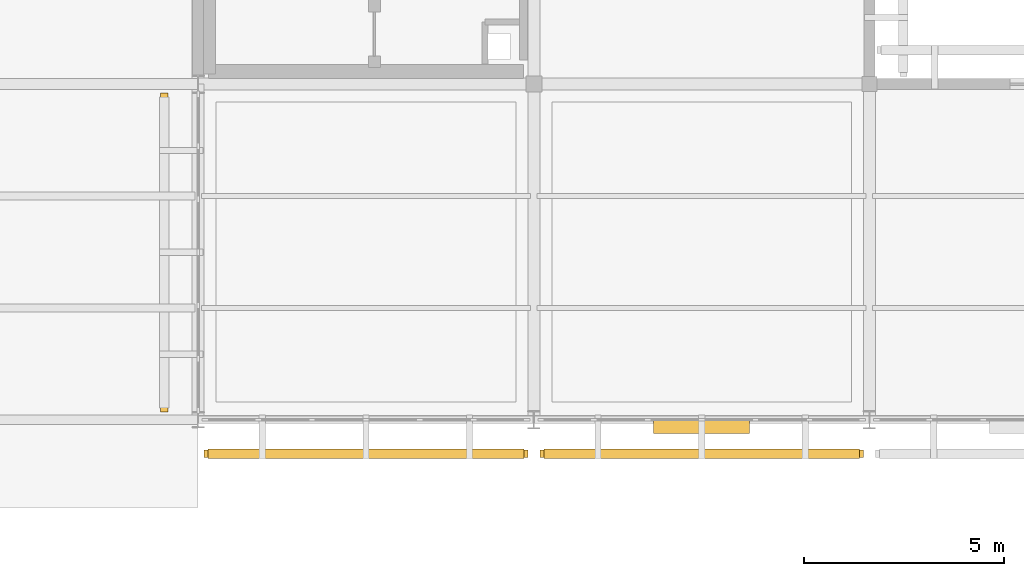
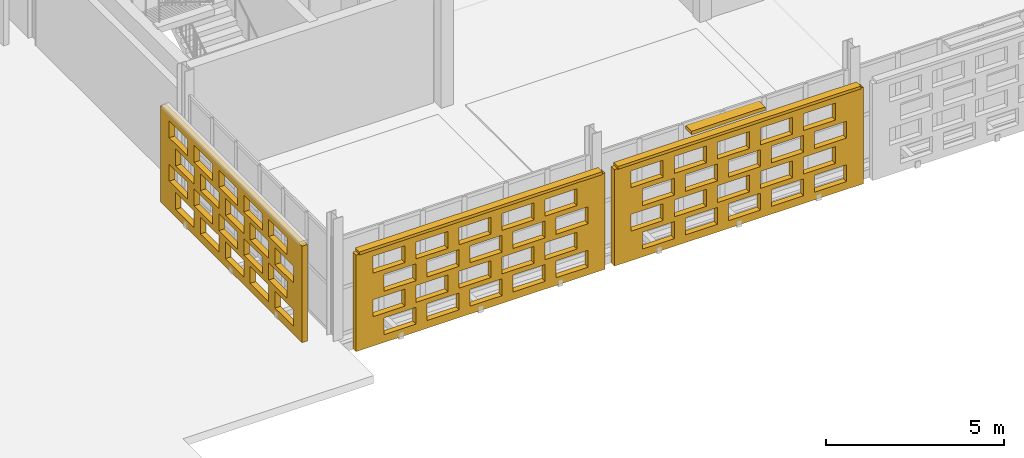
# One storey, part 131 of 166: 3 coverings, 3 shading devices, 60 openings.
"""IFC4 building model written with IfcOpenShell, lengths in metres."""

from ifc_helpers import new_model, si_unit, direction, frame, frame_2d, origin, origin_2d, place, context, subcontext, project, spatial, rectangle, extrude, material, layer, layer_set, type_object, element, save


model = new_model("IFC4")

# Units and contexts
model_context = context("Model", 3, precision=1e-05, world=origin(), true_north=direction((0.0, 1.0)))
body_context = subcontext(model_context, "Body", "Model", "MODEL_VIEW")
ifc_project = project(units=[si_unit("LENGTHUNIT", "METRE"), si_unit("AREAUNIT", "SQUARE_METRE"), si_unit("VOLUMEUNIT", "CUBIC_METRE"), si_unit("PLANEANGLEUNIT", "RADIAN"), si_unit("MASSUNIT", "GRAM", prefix="KILO")], contexts=[model_context])

# Site, building, storey
site_placement = place(None, origin())
site = spatial("IfcSite", under=ifc_project, at=site_placement, CompositionType="ELEMENT")
building_placement = place(site_placement, origin())
building = spatial("IfcBuilding", under=site, at=building_placement, Name="Varnapada Polytechnic", CompositionType="ELEMENT")
storey_placement = place(building_placement, frame((0.0, 0.0, 9.60009765625)))
storey = spatial("IfcBuildingStorey", under=building, at=storey_placement, Name="L02", CompositionType="ELEMENT", Elevation=9.60009765625)

# Shading device
ifc_material_1 = material(Name="Anodised aluminium", Category="aluminium")
ifc_layer_1 = layer(ifc_material_1, 0.35009765625)
ifc_layer_set_1 = layer_set([ifc_layer_1], Name="Anodised aluminium")
shading_device_type_1 = type_object("IfcShadingDeviceType", Name="Solar Louvre LVR-01", PredefinedType="JALOUSIE", material=ifc_layer_set_1)
shading_device_placement = place(storey_placement, frame((63.0, 83.820068359375, 3.159912109375), z_axis=(0.0, 0.0, 1.0), x_axis=(-1.0, 0.0, 0.0)))
element("IfcShadingDevice", 1, at=shading_device_placement, inside=storey, type_object=shading_device_type_1, Name="L02 aluminium sun louvre 52", PredefinedType="JALOUSIE", context=body_context, shape_type="SweptSolid", body=[
    extrude(rectangle(XDim=2.39990234375, YDim=0.340087890625, at=origin_2d()), origin(), (0.0, 0.0, 1.0), 0.1201171875),
])

# Covering, openings
ifc_material_2 = material(Name="Earth-toned architectural terracotta screen block", Category="masonry")
ifc_layer_2 = layer(ifc_material_2, 0.1201171875)
ifc_layer_set_2 = layer_set([ifc_layer_2], Name="Earth-toned architectural terracotta screen block")
covering_type = type_object("IfcCoveringType", Name="Terracotta Screen Cladding CLD-01", PredefinedType="CLADDING", material=ifc_layer_set_2)
covering_1_placement = place(storey_placement, frame((58.64990234375, 83.14990234375, 0.0), z_axis=(0.0, 0.0, 1.0), x_axis=(-1.0, 0.0, 0.0)))
covering_1 = element("IfcCovering", 2, at=covering_1_placement, inside=storey, type_object=covering_type, Name="L02 perforated terracotta block screen (45)", PredefinedType="CLADDING", context=body_context, shape_type="SweptSolid", body=[
    extrude(rectangle(XDim=8.099853515625, YDim=0.179931640625, at=frame_2d((4.0498046875, 0.0))), origin(), (0.0, 0.0, 1.0), 3.31982421875),
])
opening_1_placement = place(covering_1_placement, frame((0.550048828125, 0.0, 0.265625)))
element("IfcOpeningElement", 3, at=opening_1_placement, cuts=covering_1, Name="Screen perforation TBS-L02-044.1", PredefinedType="OPENING", context=body_context, shape_type="SweptSolid", body=[
    extrude(rectangle(XDim=1.0400390625, YDim=0.5810546875, at=frame_2d((0.52001953125, 0.29052734375))), frame((0.0, 0.099853515625, 0.0), z_axis=(0.0, -1.0, 0.0), x_axis=(1.0, 0.0, 0.0)), (0.0, 0.0, 1.0), 0.199951171875),
])
opening_2_placement = place(covering_1_placement, frame((1.949951171875, 0.0, 0.265625)))
element("IfcOpeningElement", 4, at=opening_2_placement, cuts=covering_1, Name="Screen perforation TBS-L02-044.2", PredefinedType="OPENING", context=body_context, shape_type="SweptSolid", body=[
    extrude(rectangle(XDim=1.0400390625, YDim=0.5810546875, at=frame_2d((0.52001953125, 0.29052734375))), frame((0.0, 0.099853515625, 0.0), z_axis=(0.0, -1.0, 0.0), x_axis=(1.0, 0.0, 0.0)), (0.0, 0.0, 1.0), 0.199951171875),
])
opening_3_placement = place(covering_1_placement, frame((3.35009765625, 0.0, 0.265625)))
element("IfcOpeningElement", 5, at=opening_3_placement, cuts=covering_1, Name="Screen perforation TBS-L02-044.3", PredefinedType="OPENING", context=body_context, shape_type="SweptSolid", body=[
    extrude(rectangle(XDim=1.0400390625, YDim=0.5810546875, at=frame_2d((0.52001953125, 0.29052734375))), frame((0.0, 0.099853515625, 0.0), z_axis=(0.0, -1.0, 0.0), x_axis=(1.0, 0.0, 0.0)), (0.0, 0.0, 1.0), 0.199951171875),
])
opening_4_placement = place(covering_1_placement, frame((4.75, 0.0, 0.265625)))
element("IfcOpeningElement", 6, at=opening_4_placement, cuts=covering_1, Name="Screen perforation TBS-L02-044.4", PredefinedType="OPENING", context=body_context, shape_type="SweptSolid", body=[
    extrude(rectangle(XDim=1.0400390625, YDim=0.5810546875, at=frame_2d((0.52001953125, 0.29052734375))), frame((0.0, 0.099853515625, 0.0), z_axis=(0.0, -1.0, 0.0), x_axis=(1.0, 0.0, 0.0)), (0.0, 0.0, 1.0), 0.199951171875),
])
opening_5_placement = place(covering_1_placement, frame((6.14990234375, 0.0, 0.265625)))
element("IfcOpeningElement", 7, at=opening_5_placement, cuts=covering_1, Name="Screen perforation TBS-L02-044.5", PredefinedType="OPENING", context=body_context, shape_type="SweptSolid", body=[
    extrude(rectangle(XDim=1.0400390625, YDim=0.5810546875, at=frame_2d((0.52001953125, 0.29052734375))), frame((0.0, 0.099853515625, 0.0), z_axis=(0.0, -1.0, 0.0), x_axis=(1.0, 0.0, 0.0)), (0.0, 0.0, 1.0), 0.199951171875),
])
opening_6_placement = place(covering_1_placement, frame((0.909912109375, 0.0, 1.0126953125)))
element("IfcOpeningElement", 8, at=opening_6_placement, cuts=covering_1, Name="Screen perforation TBS-L02-044.6", PredefinedType="OPENING", context=body_context, shape_type="SweptSolid", body=[
    extrude(rectangle(XDim=1.0400390625, YDim=0.5810546875, at=frame_2d((0.52001953125, 0.29052734375))), frame((0.0, 0.099853515625, 0.0), z_axis=(0.0, -1.0, 0.0), x_axis=(1.0, 0.0, 0.0)), (0.0, 0.0, 1.0), 0.199951171875),
])
opening_7_placement = place(covering_1_placement, frame((2.31005859375, 0.0, 1.0126953125)))
element("IfcOpeningElement", 9, at=opening_7_placement, cuts=covering_1, Name="Screen perforation TBS-L02-044.7", PredefinedType="OPENING", context=body_context, shape_type="SweptSolid", body=[
    extrude(rectangle(XDim=1.0400390625, YDim=0.5810546875, at=frame_2d((0.52001953125, 0.29052734375))), frame((0.0, 0.099853515625, 0.0), z_axis=(0.0, -1.0, 0.0), x_axis=(1.0, 0.0, 0.0)), (0.0, 0.0, 1.0), 0.199951171875),
])
opening_8_placement = place(covering_1_placement, frame((3.7099609375, 0.0, 1.0126953125)))
element("IfcOpeningElement", 10, at=opening_8_placement, cuts=covering_1, Name="Screen perforation TBS-L02-044.8", PredefinedType="OPENING", context=body_context, shape_type="SweptSolid", body=[
    extrude(rectangle(XDim=1.0400390625, YDim=0.5810546875, at=frame_2d((0.52001953125, 0.29052734375))), frame((0.0, 0.099853515625, 0.0), z_axis=(0.0, -1.0, 0.0), x_axis=(1.0, 0.0, 0.0)), (0.0, 0.0, 1.0), 0.199951171875),
])
opening_9_placement = place(covering_1_placement, frame((5.110107421875, 0.0, 1.0126953125)))
element("IfcOpeningElement", 11, at=opening_9_placement, cuts=covering_1, Name="Screen perforation TBS-L02-044.9", PredefinedType="OPENING", context=body_context, shape_type="SweptSolid", body=[
    extrude(rectangle(XDim=1.0400390625, YDim=0.5810546875, at=frame_2d((0.52001953125, 0.29052734375))), frame((0.0, 0.099853515625, 0.0), z_axis=(0.0, -1.0, 0.0), x_axis=(1.0, 0.0, 0.0)), (0.0, 0.0, 1.0), 0.199951171875),
])
opening_10_placement = place(covering_1_placement, frame((6.510009765625, 0.0, 1.0126953125)))
element("IfcOpeningElement", 12, at=opening_10_placement, cuts=covering_1, Name="Screen perforation TBS-L02-044.10", PredefinedType="OPENING", context=body_context, shape_type="SweptSolid", body=[
    extrude(rectangle(XDim=1.0400390625, YDim=0.5810546875, at=frame_2d((0.52001953125, 0.29052734375))), frame((0.0, 0.099853515625, 0.0), z_axis=(0.0, -1.0, 0.0), x_axis=(1.0, 0.0, 0.0)), (0.0, 0.0, 1.0), 0.199951171875),
])
opening_11_placement = place(covering_1_placement, frame((0.550048828125, 0.0, 1.759521484375)))
element("IfcOpeningElement", 13, at=opening_11_placement, cuts=covering_1, Name="Screen perforation TBS-L02-044.11", PredefinedType="OPENING", context=body_context, shape_type="SweptSolid", body=[
    extrude(rectangle(XDim=1.0400390625, YDim=0.5810546875, at=frame_2d((0.52001953125, 0.29052734375))), frame((0.0, 0.099853515625, 0.0), z_axis=(0.0, -1.0, 0.0), x_axis=(1.0, 0.0, 0.0)), (0.0, 0.0, 1.0), 0.199951171875),
])
opening_12_placement = place(covering_1_placement, frame((1.949951171875, 0.0, 1.759521484375)))
element("IfcOpeningElement", 14, at=opening_12_placement, cuts=covering_1, Name="Screen perforation TBS-L02-044.12", PredefinedType="OPENING", context=body_context, shape_type="SweptSolid", body=[
    extrude(rectangle(XDim=1.0400390625, YDim=0.5810546875, at=frame_2d((0.52001953125, 0.29052734375))), frame((0.0, 0.099853515625, 0.0), z_axis=(0.0, -1.0, 0.0), x_axis=(1.0, 0.0, 0.0)), (0.0, 0.0, 1.0), 0.199951171875),
])
opening_13_placement = place(covering_1_placement, frame((3.35009765625, 0.0, 1.759521484375)))
element("IfcOpeningElement", 15, at=opening_13_placement, cuts=covering_1, Name="Screen perforation TBS-L02-044.13", PredefinedType="OPENING", context=body_context, shape_type="SweptSolid", body=[
    extrude(rectangle(XDim=1.0400390625, YDim=0.5810546875, at=frame_2d((0.52001953125, 0.29052734375))), frame((0.0, 0.099853515625, 0.0), z_axis=(0.0, -1.0, 0.0), x_axis=(1.0, 0.0, 0.0)), (0.0, 0.0, 1.0), 0.199951171875),
])
opening_14_placement = place(covering_1_placement, frame((4.75, 0.0, 1.759521484375)))
element("IfcOpeningElement", 16, at=opening_14_placement, cuts=covering_1, Name="Screen perforation TBS-L02-044.14", PredefinedType="OPENING", context=body_context, shape_type="SweptSolid", body=[
    extrude(rectangle(XDim=1.0400390625, YDim=0.5810546875, at=frame_2d((0.52001953125, 0.29052734375))), frame((0.0, 0.099853515625, 0.0), z_axis=(0.0, -1.0, 0.0), x_axis=(1.0, 0.0, 0.0)), (0.0, 0.0, 1.0), 0.199951171875),
])
opening_15_placement = place(covering_1_placement, frame((6.14990234375, 0.0, 1.759521484375)))
element("IfcOpeningElement", 17, at=opening_15_placement, cuts=covering_1, Name="Screen perforation TBS-L02-044.15", PredefinedType="OPENING", context=body_context, shape_type="SweptSolid", body=[
    extrude(rectangle(XDim=1.0400390625, YDim=0.5810546875, at=frame_2d((0.52001953125, 0.29052734375))), frame((0.0, 0.099853515625, 0.0), z_axis=(0.0, -1.0, 0.0), x_axis=(1.0, 0.0, 0.0)), (0.0, 0.0, 1.0), 0.199951171875),
])
opening_16_placement = place(covering_1_placement, frame((0.909912109375, 0.0, 2.506591796875)))
element("IfcOpeningElement", 18, at=opening_16_placement, cuts=covering_1, Name="Screen perforation TBS-L02-044.16", PredefinedType="OPENING", context=body_context, shape_type="SweptSolid", body=[
    extrude(rectangle(XDim=1.0400390625, YDim=0.5810546875, at=frame_2d((0.52001953125, 0.29052734375))), frame((0.0, 0.099853515625, 0.0), z_axis=(0.0, -1.0, 0.0), x_axis=(1.0, 0.0, 0.0)), (0.0, 0.0, 1.0), 0.199951171875),
])
opening_17_placement = place(covering_1_placement, frame((2.31005859375, 0.0, 2.506591796875)))
element("IfcOpeningElement", 19, at=opening_17_placement, cuts=covering_1, Name="Screen perforation TBS-L02-044.17", PredefinedType="OPENING", context=body_context, shape_type="SweptSolid", body=[
    extrude(rectangle(XDim=1.0400390625, YDim=0.5810546875, at=frame_2d((0.52001953125, 0.29052734375))), frame((0.0, 0.099853515625, 0.0), z_axis=(0.0, -1.0, 0.0), x_axis=(1.0, 0.0, 0.0)), (0.0, 0.0, 1.0), 0.199951171875),
])
opening_18_placement = place(covering_1_placement, frame((3.7099609375, 0.0, 2.506591796875)))
element("IfcOpeningElement", 20, at=opening_18_placement, cuts=covering_1, Name="Screen perforation TBS-L02-044.18", PredefinedType="OPENING", context=body_context, shape_type="SweptSolid", body=[
    extrude(rectangle(XDim=1.0400390625, YDim=0.5810546875, at=frame_2d((0.52001953125, 0.29052734375))), frame((0.0, 0.099853515625, 0.0), z_axis=(0.0, -1.0, 0.0), x_axis=(1.0, 0.0, 0.0)), (0.0, 0.0, 1.0), 0.199951171875),
])
opening_19_placement = place(covering_1_placement, frame((5.110107421875, 0.0, 2.506591796875)))
element("IfcOpeningElement", 21, at=opening_19_placement, cuts=covering_1, Name="Screen perforation TBS-L02-044.19", PredefinedType="OPENING", context=body_context, shape_type="SweptSolid", body=[
    extrude(rectangle(XDim=1.0400390625, YDim=0.5810546875, at=frame_2d((0.52001953125, 0.29052734375))), frame((0.0, 0.099853515625, 0.0), z_axis=(0.0, -1.0, 0.0), x_axis=(1.0, 0.0, 0.0)), (0.0, 0.0, 1.0), 0.199951171875),
])
opening_20_placement = place(covering_1_placement, frame((6.510009765625, 0.0, 2.506591796875)))
element("IfcOpeningElement", 22, at=opening_20_placement, cuts=covering_1, Name="Screen perforation TBS-L02-044.20", PredefinedType="OPENING", context=body_context, shape_type="SweptSolid", body=[
    extrude(rectangle(XDim=1.0400390625, YDim=0.5810546875, at=frame_2d((0.52001953125, 0.29052734375))), frame((0.0, 0.099853515625, 0.0), z_axis=(0.0, -1.0, 0.0), x_axis=(1.0, 0.0, 0.0)), (0.0, 0.0, 1.0), 0.199951171875),
])

covering_2_placement = place(storey_placement, frame((49.550048828125, 84.199951171875, 0.0), z_axis=(0.0, 0.0, 1.0), x_axis=(0.0, 1.0, 0.0)))
covering_2 = element("IfcCovering", 23, at=covering_2_placement, inside=storey, type_object=covering_type, Name="L02 perforated terracotta block screen (46)", PredefinedType="CLADDING", context=body_context, shape_type="SweptSolid", body=[
    extrude(rectangle(XDim=7.97509765625, YDim=0.179931640625, at=frame_2d((3.987548828125, 0.0))), origin(), (0.0, 0.0, 1.0), 3.31982421875),
])
opening_21_placement = place(covering_2_placement, frame((0.487548828125, 0.0, 0.265625)))
element("IfcOpeningElement", 24, at=opening_21_placement, cuts=covering_2, Name="Screen perforation TBS-L02-045.1", PredefinedType="OPENING", context=body_context, shape_type="SweptSolid", body=[
    extrude(rectangle(XDim=1.0400390625, YDim=0.5810546875, at=frame_2d((0.52001953125, 0.29052734375))), frame((0.0, 0.099853515625, 0.0), z_axis=(0.0, -1.0, 0.0), x_axis=(1.0, 0.0, 0.0)), (0.0, 0.0, 1.0), 0.199951171875),
])
opening_22_placement = place(covering_2_placement, frame((1.887451171875, 0.0, 0.265625)))
element("IfcOpeningElement", 25, at=opening_22_placement, cuts=covering_2, Name="Screen perforation TBS-L02-045.2", PredefinedType="OPENING", context=body_context, shape_type="SweptSolid", body=[
    extrude(rectangle(XDim=1.0400390625, YDim=0.5810546875, at=frame_2d((0.52001953125, 0.29052734375))), frame((0.0, 0.099853515625, 0.0), z_axis=(0.0, -1.0, 0.0), x_axis=(1.0, 0.0, 0.0)), (0.0, 0.0, 1.0), 0.199951171875),
])
opening_23_placement = place(covering_2_placement, frame((3.28759765625, 0.0, 0.265625)))
element("IfcOpeningElement", 26, at=opening_23_placement, cuts=covering_2, Name="Screen perforation TBS-L02-045.3", PredefinedType="OPENING", context=body_context, shape_type="SweptSolid", body=[
    extrude(rectangle(XDim=1.0400390625, YDim=0.5810546875, at=frame_2d((0.52001953125, 0.29052734375))), frame((0.0, 0.099853515625, 0.0), z_axis=(0.0, -1.0, 0.0), x_axis=(1.0, 0.0, 0.0)), (0.0, 0.0, 1.0), 0.199951171875),
])
opening_24_placement = place(covering_2_placement, frame((4.6875, 0.0, 0.265625)))
element("IfcOpeningElement", 27, at=opening_24_placement, cuts=covering_2, Name="Screen perforation TBS-L02-045.4", PredefinedType="OPENING", context=body_context, shape_type="SweptSolid", body=[
    extrude(rectangle(XDim=1.0400390625, YDim=0.5810546875, at=frame_2d((0.52001953125, 0.29052734375))), frame((0.0, 0.099853515625, 0.0), z_axis=(0.0, -1.0, 0.0), x_axis=(1.0, 0.0, 0.0)), (0.0, 0.0, 1.0), 0.199951171875),
])
opening_25_placement = place(covering_2_placement, frame((6.08740234375, 0.0, 0.265625)))
element("IfcOpeningElement", 28, at=opening_25_placement, cuts=covering_2, Name="Screen perforation TBS-L02-045.5", PredefinedType="OPENING", context=body_context, shape_type="SweptSolid", body=[
    extrude(rectangle(XDim=1.0400390625, YDim=0.5810546875, at=frame_2d((0.52001953125, 0.29052734375))), frame((0.0, 0.099853515625, 0.0), z_axis=(0.0, -1.0, 0.0), x_axis=(1.0, 0.0, 0.0)), (0.0, 0.0, 1.0), 0.199951171875),
])
opening_26_placement = place(covering_2_placement, frame((0.847412109375, 0.0, 1.0126953125)))
element("IfcOpeningElement", 29, at=opening_26_placement, cuts=covering_2, Name="Screen perforation TBS-L02-045.6", PredefinedType="OPENING", context=body_context, shape_type="SweptSolid", body=[
    extrude(rectangle(XDim=1.0400390625, YDim=0.5810546875, at=frame_2d((0.52001953125, 0.29052734375))), frame((0.0, 0.099853515625, 0.0), z_axis=(0.0, -1.0, 0.0), x_axis=(1.0, 0.0, 0.0)), (0.0, 0.0, 1.0), 0.199951171875),
])
opening_27_placement = place(covering_2_placement, frame((2.24755859375, 0.0, 1.0126953125)))
element("IfcOpeningElement", 30, at=opening_27_placement, cuts=covering_2, Name="Screen perforation TBS-L02-045.7", PredefinedType="OPENING", context=body_context, shape_type="SweptSolid", body=[
    extrude(rectangle(XDim=1.0400390625, YDim=0.5810546875, at=frame_2d((0.52001953125, 0.29052734375))), frame((0.0, 0.099853515625, 0.0), z_axis=(0.0, -1.0, 0.0), x_axis=(1.0, 0.0, 0.0)), (0.0, 0.0, 1.0), 0.199951171875),
])
opening_28_placement = place(covering_2_placement, frame((3.6474609375, 0.0, 1.0126953125)))
element("IfcOpeningElement", 31, at=opening_28_placement, cuts=covering_2, Name="Screen perforation TBS-L02-045.8", PredefinedType="OPENING", context=body_context, shape_type="SweptSolid", body=[
    extrude(rectangle(XDim=1.0400390625, YDim=0.5810546875, at=frame_2d((0.52001953125, 0.29052734375))), frame((0.0, 0.099853515625, 0.0), z_axis=(0.0, -1.0, 0.0), x_axis=(1.0, 0.0, 0.0)), (0.0, 0.0, 1.0), 0.199951171875),
])
opening_29_placement = place(covering_2_placement, frame((5.047607421875, 0.0, 1.0126953125)))
element("IfcOpeningElement", 32, at=opening_29_placement, cuts=covering_2, Name="Screen perforation TBS-L02-045.9", PredefinedType="OPENING", context=body_context, shape_type="SweptSolid", body=[
    extrude(rectangle(XDim=1.0400390625, YDim=0.5810546875, at=frame_2d((0.52001953125, 0.29052734375))), frame((0.0, 0.099853515625, 0.0), z_axis=(0.0, -1.0, 0.0), x_axis=(1.0, 0.0, 0.0)), (0.0, 0.0, 1.0), 0.199951171875),
])
opening_30_placement = place(covering_2_placement, frame((6.447509765625, 0.0, 1.0126953125)))
element("IfcOpeningElement", 33, at=opening_30_placement, cuts=covering_2, Name="Screen perforation TBS-L02-045.10", PredefinedType="OPENING", context=body_context, shape_type="SweptSolid", body=[
    extrude(rectangle(XDim=1.0400390625, YDim=0.5810546875, at=frame_2d((0.52001953125, 0.29052734375))), frame((0.0, 0.099853515625, 0.0), z_axis=(0.0, -1.0, 0.0), x_axis=(1.0, 0.0, 0.0)), (0.0, 0.0, 1.0), 0.199951171875),
])
opening_31_placement = place(covering_2_placement, frame((0.487548828125, 0.0, 1.759521484375)))
element("IfcOpeningElement", 34, at=opening_31_placement, cuts=covering_2, Name="Screen perforation TBS-L02-045.11", PredefinedType="OPENING", context=body_context, shape_type="SweptSolid", body=[
    extrude(rectangle(XDim=1.0400390625, YDim=0.5810546875, at=frame_2d((0.52001953125, 0.29052734375))), frame((0.0, 0.099853515625, 0.0), z_axis=(0.0, -1.0, 0.0), x_axis=(1.0, 0.0, 0.0)), (0.0, 0.0, 1.0), 0.199951171875),
])
opening_32_placement = place(covering_2_placement, frame((1.887451171875, 0.0, 1.759521484375)))
element("IfcOpeningElement", 35, at=opening_32_placement, cuts=covering_2, Name="Screen perforation TBS-L02-045.12", PredefinedType="OPENING", context=body_context, shape_type="SweptSolid", body=[
    extrude(rectangle(XDim=1.0400390625, YDim=0.5810546875, at=frame_2d((0.52001953125, 0.29052734375))), frame((0.0, 0.099853515625, 0.0), z_axis=(0.0, -1.0, 0.0), x_axis=(1.0, 0.0, 0.0)), (0.0, 0.0, 1.0), 0.199951171875),
])
opening_33_placement = place(covering_2_placement, frame((3.28759765625, 0.0, 1.759521484375)))
element("IfcOpeningElement", 36, at=opening_33_placement, cuts=covering_2, Name="Screen perforation TBS-L02-045.13", PredefinedType="OPENING", context=body_context, shape_type="SweptSolid", body=[
    extrude(rectangle(XDim=1.0400390625, YDim=0.5810546875, at=frame_2d((0.52001953125, 0.29052734375))), frame((0.0, 0.099853515625, 0.0), z_axis=(0.0, -1.0, 0.0), x_axis=(1.0, 0.0, 0.0)), (0.0, 0.0, 1.0), 0.199951171875),
])
opening_34_placement = place(covering_2_placement, frame((4.6875, 0.0, 1.759521484375)))
element("IfcOpeningElement", 37, at=opening_34_placement, cuts=covering_2, Name="Screen perforation TBS-L02-045.14", PredefinedType="OPENING", context=body_context, shape_type="SweptSolid", body=[
    extrude(rectangle(XDim=1.0400390625, YDim=0.5810546875, at=frame_2d((0.52001953125, 0.29052734375))), frame((0.0, 0.099853515625, 0.0), z_axis=(0.0, -1.0, 0.0), x_axis=(1.0, 0.0, 0.0)), (0.0, 0.0, 1.0), 0.199951171875),
])
opening_35_placement = place(covering_2_placement, frame((6.08740234375, 0.0, 1.759521484375)))
element("IfcOpeningElement", 38, at=opening_35_placement, cuts=covering_2, Name="Screen perforation TBS-L02-045.15", PredefinedType="OPENING", context=body_context, shape_type="SweptSolid", body=[
    extrude(rectangle(XDim=1.0400390625, YDim=0.5810546875, at=frame_2d((0.52001953125, 0.29052734375))), frame((0.0, 0.099853515625, 0.0), z_axis=(0.0, -1.0, 0.0), x_axis=(1.0, 0.0, 0.0)), (0.0, 0.0, 1.0), 0.199951171875),
])
opening_36_placement = place(covering_2_placement, frame((0.847412109375, 0.0, 2.506591796875)))
element("IfcOpeningElement", 39, at=opening_36_placement, cuts=covering_2, Name="Screen perforation TBS-L02-045.16", PredefinedType="OPENING", context=body_context, shape_type="SweptSolid", body=[
    extrude(rectangle(XDim=1.0400390625, YDim=0.5810546875, at=frame_2d((0.52001953125, 0.29052734375))), frame((0.0, 0.099853515625, 0.0), z_axis=(0.0, -1.0, 0.0), x_axis=(1.0, 0.0, 0.0)), (0.0, 0.0, 1.0), 0.199951171875),
])
opening_37_placement = place(covering_2_placement, frame((2.24755859375, 0.0, 2.506591796875)))
element("IfcOpeningElement", 40, at=opening_37_placement, cuts=covering_2, Name="Screen perforation TBS-L02-045.17", PredefinedType="OPENING", context=body_context, shape_type="SweptSolid", body=[
    extrude(rectangle(XDim=1.0400390625, YDim=0.5810546875, at=frame_2d((0.52001953125, 0.29052734375))), frame((0.0, 0.099853515625, 0.0), z_axis=(0.0, -1.0, 0.0), x_axis=(1.0, 0.0, 0.0)), (0.0, 0.0, 1.0), 0.199951171875),
])
opening_38_placement = place(covering_2_placement, frame((3.6474609375, 0.0, 2.506591796875)))
element("IfcOpeningElement", 41, at=opening_38_placement, cuts=covering_2, Name="Screen perforation TBS-L02-045.18", PredefinedType="OPENING", context=body_context, shape_type="SweptSolid", body=[
    extrude(rectangle(XDim=1.0400390625, YDim=0.5810546875, at=frame_2d((0.52001953125, 0.29052734375))), frame((0.0, 0.099853515625, 0.0), z_axis=(0.0, -1.0, 0.0), x_axis=(1.0, 0.0, 0.0)), (0.0, 0.0, 1.0), 0.199951171875),
])
opening_39_placement = place(covering_2_placement, frame((5.047607421875, 0.0, 2.506591796875)))
element("IfcOpeningElement", 42, at=opening_39_placement, cuts=covering_2, Name="Screen perforation TBS-L02-045.19", PredefinedType="OPENING", context=body_context, shape_type="SweptSolid", body=[
    extrude(rectangle(XDim=1.0400390625, YDim=0.5810546875, at=frame_2d((0.52001953125, 0.29052734375))), frame((0.0, 0.099853515625, 0.0), z_axis=(0.0, -1.0, 0.0), x_axis=(1.0, 0.0, 0.0)), (0.0, 0.0, 1.0), 0.199951171875),
])
opening_40_placement = place(covering_2_placement, frame((6.447509765625, 0.0, 2.506591796875)))
element("IfcOpeningElement", 43, at=opening_40_placement, cuts=covering_2, Name="Screen perforation TBS-L02-045.20", PredefinedType="OPENING", context=body_context, shape_type="SweptSolid", body=[
    extrude(rectangle(XDim=1.0400390625, YDim=0.5810546875, at=frame_2d((0.52001953125, 0.29052734375))), frame((0.0, 0.099853515625, 0.0), z_axis=(0.0, -1.0, 0.0), x_axis=(1.0, 0.0, 0.0)), (0.0, 0.0, 1.0), 0.199951171875),
])

covering_3_placement = place(storey_placement, frame((67.050048828125, 83.14990234375, 0.0), z_axis=(0.0, 0.0, 1.0), x_axis=(-1.0, 0.0, 0.0)))
covering_3 = element("IfcCovering", 44, at=covering_3_placement, inside=storey, type_object=covering_type, Name="L02 perforated terracotta block screen (52)", PredefinedType="CLADDING", context=body_context, shape_type="SweptSolid", body=[
    extrude(rectangle(XDim=8.10009765625, YDim=0.179931640625, at=frame_2d((4.050048828125, 0.0))), origin(), (0.0, 0.0, 1.0), 3.31982421875),
])
opening_41_placement = place(covering_3_placement, frame((0.550048828125, 0.0, 0.265625)))
element("IfcOpeningElement", 45, at=opening_41_placement, cuts=covering_3, Name="Screen perforation TBS-L02-051.1", PredefinedType="OPENING", context=body_context, shape_type="SweptSolid", body=[
    extrude(rectangle(XDim=1.0400390625, YDim=0.5810546875, at=frame_2d((0.52001953125, 0.29052734375))), frame((0.0, 0.099853515625, 0.0), z_axis=(0.0, -1.0, 0.0), x_axis=(1.0, 0.0, 0.0)), (0.0, 0.0, 1.0), 0.199951171875),
])
opening_42_placement = place(covering_3_placement, frame((1.949951171875, 0.0, 0.265625)))
element("IfcOpeningElement", 46, at=opening_42_placement, cuts=covering_3, Name="Screen perforation TBS-L02-051.2", PredefinedType="OPENING", context=body_context, shape_type="SweptSolid", body=[
    extrude(rectangle(XDim=1.0400390625, YDim=0.5810546875, at=frame_2d((0.52001953125, 0.29052734375))), frame((0.0, 0.099853515625, 0.0), z_axis=(0.0, -1.0, 0.0), x_axis=(1.0, 0.0, 0.0)), (0.0, 0.0, 1.0), 0.199951171875),
])
opening_43_placement = place(covering_3_placement, frame((3.35009765625, 0.0, 0.265625)))
element("IfcOpeningElement", 47, at=opening_43_placement, cuts=covering_3, Name="Screen perforation TBS-L02-051.3", PredefinedType="OPENING", context=body_context, shape_type="SweptSolid", body=[
    extrude(rectangle(XDim=1.0400390625, YDim=0.5810546875, at=frame_2d((0.52001953125, 0.29052734375))), frame((0.0, 0.099853515625, 0.0), z_axis=(0.0, -1.0, 0.0), x_axis=(1.0, 0.0, 0.0)), (0.0, 0.0, 1.0), 0.199951171875),
])
opening_44_placement = place(covering_3_placement, frame((4.75, 0.0, 0.265625)))
element("IfcOpeningElement", 48, at=opening_44_placement, cuts=covering_3, Name="Screen perforation TBS-L02-051.4", PredefinedType="OPENING", context=body_context, shape_type="SweptSolid", body=[
    extrude(rectangle(XDim=1.0400390625, YDim=0.5810546875, at=frame_2d((0.52001953125, 0.29052734375))), frame((0.0, 0.099853515625, 0.0), z_axis=(0.0, -1.0, 0.0), x_axis=(1.0, 0.0, 0.0)), (0.0, 0.0, 1.0), 0.199951171875),
])
opening_45_placement = place(covering_3_placement, frame((6.14990234375, 0.0, 0.265625)))
element("IfcOpeningElement", 49, at=opening_45_placement, cuts=covering_3, Name="Screen perforation TBS-L02-051.5", PredefinedType="OPENING", context=body_context, shape_type="SweptSolid", body=[
    extrude(rectangle(XDim=1.0400390625, YDim=0.5810546875, at=frame_2d((0.52001953125, 0.29052734375))), frame((0.0, 0.099853515625, 0.0), z_axis=(0.0, -1.0, 0.0), x_axis=(1.0, 0.0, 0.0)), (0.0, 0.0, 1.0), 0.199951171875),
])
opening_46_placement = place(covering_3_placement, frame((0.909912109375, 0.0, 1.0126953125)))
element("IfcOpeningElement", 50, at=opening_46_placement, cuts=covering_3, Name="Screen perforation TBS-L02-051.6", PredefinedType="OPENING", context=body_context, shape_type="SweptSolid", body=[
    extrude(rectangle(XDim=1.0400390625, YDim=0.5810546875, at=frame_2d((0.52001953125, 0.29052734375))), frame((0.0, 0.099853515625, 0.0), z_axis=(0.0, -1.0, 0.0), x_axis=(1.0, 0.0, 0.0)), (0.0, 0.0, 1.0), 0.199951171875),
])
opening_47_placement = place(covering_3_placement, frame((2.31005859375, 0.0, 1.0126953125)))
element("IfcOpeningElement", 51, at=opening_47_placement, cuts=covering_3, Name="Screen perforation TBS-L02-051.7", PredefinedType="OPENING", context=body_context, shape_type="SweptSolid", body=[
    extrude(rectangle(XDim=1.0400390625, YDim=0.5810546875, at=frame_2d((0.52001953125, 0.29052734375))), frame((0.0, 0.099853515625, 0.0), z_axis=(0.0, -1.0, 0.0), x_axis=(1.0, 0.0, 0.0)), (0.0, 0.0, 1.0), 0.199951171875),
])
opening_48_placement = place(covering_3_placement, frame((3.7099609375, 0.0, 1.0126953125)))
element("IfcOpeningElement", 52, at=opening_48_placement, cuts=covering_3, Name="Screen perforation TBS-L02-051.8", PredefinedType="OPENING", context=body_context, shape_type="SweptSolid", body=[
    extrude(rectangle(XDim=1.0400390625, YDim=0.5810546875, at=frame_2d((0.52001953125, 0.29052734375))), frame((0.0, 0.099853515625, 0.0), z_axis=(0.0, -1.0, 0.0), x_axis=(1.0, 0.0, 0.0)), (0.0, 0.0, 1.0), 0.199951171875),
])
opening_49_placement = place(covering_3_placement, frame((5.110107421875, 0.0, 1.0126953125)))
element("IfcOpeningElement", 53, at=opening_49_placement, cuts=covering_3, Name="Screen perforation TBS-L02-051.9", PredefinedType="OPENING", context=body_context, shape_type="SweptSolid", body=[
    extrude(rectangle(XDim=1.0400390625, YDim=0.5810546875, at=frame_2d((0.52001953125, 0.29052734375))), frame((0.0, 0.099853515625, 0.0), z_axis=(0.0, -1.0, 0.0), x_axis=(1.0, 0.0, 0.0)), (0.0, 0.0, 1.0), 0.199951171875),
])
opening_50_placement = place(covering_3_placement, frame((6.510009765625, 0.0, 1.0126953125)))
element("IfcOpeningElement", 54, at=opening_50_placement, cuts=covering_3, Name="Screen perforation TBS-L02-051.10", PredefinedType="OPENING", context=body_context, shape_type="SweptSolid", body=[
    extrude(rectangle(XDim=1.0400390625, YDim=0.5810546875, at=frame_2d((0.52001953125, 0.29052734375))), frame((0.0, 0.099853515625, 0.0), z_axis=(0.0, -1.0, 0.0), x_axis=(1.0, 0.0, 0.0)), (0.0, 0.0, 1.0), 0.199951171875),
])
opening_51_placement = place(covering_3_placement, frame((0.550048828125, 0.0, 1.759521484375)))
element("IfcOpeningElement", 55, at=opening_51_placement, cuts=covering_3, Name="Screen perforation TBS-L02-051.11", PredefinedType="OPENING", context=body_context, shape_type="SweptSolid", body=[
    extrude(rectangle(XDim=1.0400390625, YDim=0.5810546875, at=frame_2d((0.52001953125, 0.29052734375))), frame((0.0, 0.099853515625, 0.0), z_axis=(0.0, -1.0, 0.0), x_axis=(1.0, 0.0, 0.0)), (0.0, 0.0, 1.0), 0.199951171875),
])
opening_52_placement = place(covering_3_placement, frame((1.949951171875, 0.0, 1.759521484375)))
element("IfcOpeningElement", 56, at=opening_52_placement, cuts=covering_3, Name="Screen perforation TBS-L02-051.12", PredefinedType="OPENING", context=body_context, shape_type="SweptSolid", body=[
    extrude(rectangle(XDim=1.0400390625, YDim=0.5810546875, at=frame_2d((0.52001953125, 0.29052734375))), frame((0.0, 0.099853515625, 0.0), z_axis=(0.0, -1.0, 0.0), x_axis=(1.0, 0.0, 0.0)), (0.0, 0.0, 1.0), 0.199951171875),
])
opening_53_placement = place(covering_3_placement, frame((3.35009765625, 0.0, 1.759521484375)))
element("IfcOpeningElement", 57, at=opening_53_placement, cuts=covering_3, Name="Screen perforation TBS-L02-051.13", PredefinedType="OPENING", context=body_context, shape_type="SweptSolid", body=[
    extrude(rectangle(XDim=1.0400390625, YDim=0.5810546875, at=frame_2d((0.52001953125, 0.29052734375))), frame((0.0, 0.099853515625, 0.0), z_axis=(0.0, -1.0, 0.0), x_axis=(1.0, 0.0, 0.0)), (0.0, 0.0, 1.0), 0.199951171875),
])
opening_54_placement = place(covering_3_placement, frame((4.75, 0.0, 1.759521484375)))
element("IfcOpeningElement", 58, at=opening_54_placement, cuts=covering_3, Name="Screen perforation TBS-L02-051.14", PredefinedType="OPENING", context=body_context, shape_type="SweptSolid", body=[
    extrude(rectangle(XDim=1.0400390625, YDim=0.5810546875, at=frame_2d((0.52001953125, 0.29052734375))), frame((0.0, 0.099853515625, 0.0), z_axis=(0.0, -1.0, 0.0), x_axis=(1.0, 0.0, 0.0)), (0.0, 0.0, 1.0), 0.199951171875),
])
opening_55_placement = place(covering_3_placement, frame((6.14990234375, 0.0, 1.759521484375)))
element("IfcOpeningElement", 59, at=opening_55_placement, cuts=covering_3, Name="Screen perforation TBS-L02-051.15", PredefinedType="OPENING", context=body_context, shape_type="SweptSolid", body=[
    extrude(rectangle(XDim=1.0400390625, YDim=0.5810546875, at=frame_2d((0.52001953125, 0.29052734375))), frame((0.0, 0.099853515625, 0.0), z_axis=(0.0, -1.0, 0.0), x_axis=(1.0, 0.0, 0.0)), (0.0, 0.0, 1.0), 0.199951171875),
])
opening_56_placement = place(covering_3_placement, frame((0.909912109375, 0.0, 2.506591796875)))
element("IfcOpeningElement", 60, at=opening_56_placement, cuts=covering_3, Name="Screen perforation TBS-L02-051.16", PredefinedType="OPENING", context=body_context, shape_type="SweptSolid", body=[
    extrude(rectangle(XDim=1.0400390625, YDim=0.5810546875, at=frame_2d((0.52001953125, 0.29052734375))), frame((0.0, 0.099853515625, 0.0), z_axis=(0.0, -1.0, 0.0), x_axis=(1.0, 0.0, 0.0)), (0.0, 0.0, 1.0), 0.199951171875),
])
opening_57_placement = place(covering_3_placement, frame((2.31005859375, 0.0, 2.506591796875)))
element("IfcOpeningElement", 61, at=opening_57_placement, cuts=covering_3, Name="Screen perforation TBS-L02-051.17", PredefinedType="OPENING", context=body_context, shape_type="SweptSolid", body=[
    extrude(rectangle(XDim=1.0400390625, YDim=0.5810546875, at=frame_2d((0.52001953125, 0.29052734375))), frame((0.0, 0.099853515625, 0.0), z_axis=(0.0, -1.0, 0.0), x_axis=(1.0, 0.0, 0.0)), (0.0, 0.0, 1.0), 0.199951171875),
])
opening_58_placement = place(covering_3_placement, frame((3.7099609375, 0.0, 2.506591796875)))
element("IfcOpeningElement", 62, at=opening_58_placement, cuts=covering_3, Name="Screen perforation TBS-L02-051.18", PredefinedType="OPENING", context=body_context, shape_type="SweptSolid", body=[
    extrude(rectangle(XDim=1.0400390625, YDim=0.5810546875, at=frame_2d((0.52001953125, 0.29052734375))), frame((0.0, 0.099853515625, 0.0), z_axis=(0.0, -1.0, 0.0), x_axis=(1.0, 0.0, 0.0)), (0.0, 0.0, 1.0), 0.199951171875),
])
opening_59_placement = place(covering_3_placement, frame((5.110107421875, 0.0, 2.506591796875)))
element("IfcOpeningElement", 63, at=opening_59_placement, cuts=covering_3, Name="Screen perforation TBS-L02-051.19", PredefinedType="OPENING", context=body_context, shape_type="SweptSolid", body=[
    extrude(rectangle(XDim=1.0400390625, YDim=0.5810546875, at=frame_2d((0.52001953125, 0.29052734375))), frame((0.0, 0.099853515625, 0.0), z_axis=(0.0, -1.0, 0.0), x_axis=(1.0, 0.0, 0.0)), (0.0, 0.0, 1.0), 0.199951171875),
])
opening_60_placement = place(covering_3_placement, frame((6.510009765625, 0.0, 2.506591796875)))
element("IfcOpeningElement", 64, at=opening_60_placement, cuts=covering_3, Name="Screen perforation TBS-L02-051.20", PredefinedType="OPENING", context=body_context, shape_type="SweptSolid", body=[
    extrude(rectangle(XDim=1.0400390625, YDim=0.5810546875, at=frame_2d((0.52001953125, 0.29052734375))), frame((0.0, 0.099853515625, 0.0), z_axis=(0.0, -1.0, 0.0), x_axis=(1.0, 0.0, 0.0)), (0.0, 0.0, 1.0), 0.199951171875),
])

# Shading devices
ifc_layer_3 = layer(ifc_material_2, 0.179931640625)
ifc_layer_set_3 = layer_set([ifc_layer_3], Name="Earth-toned architectural terracotta screen block")
shading_device_type_2 = type_object("IfcShadingDeviceType", Name="Terracotta Screen SCR-01", PredefinedType="USERDEFINED", material=ifc_layer_set_3)
for number, where, z_axis, x_axis, name in (
    (65, (54.60009765625, 83.14990234375, 3.309814453125), (0.0, 0.0, 1.0), (-1.0, 0.0, 0.0), "L02 perforated terracotta screen hood 272"),
    (66, (63.0, 83.14990234375, 3.309814453125), (0.0, 0.0, 1.0), (-1.0, 0.0, 0.0), "L02 perforated terracotta screen hood 277"),
):
    element("IfcShadingDevice", number, at=place(storey_placement, frame(where, z_axis=z_axis, x_axis=x_axis)), inside=storey, type_object=shading_device_type_2, Name=name, ObjectType="SCREEN", PredefinedType="USERDEFINED", context=body_context, shape_type="SweptSolid", body=[
        extrude(rectangle(XDim=7.89990234375, YDim=0.239990234375, at=origin_2d()), origin(), (0.0, 0.0, 1.0), 0.10009765625),
    ])

save(model, "model.ifc")
